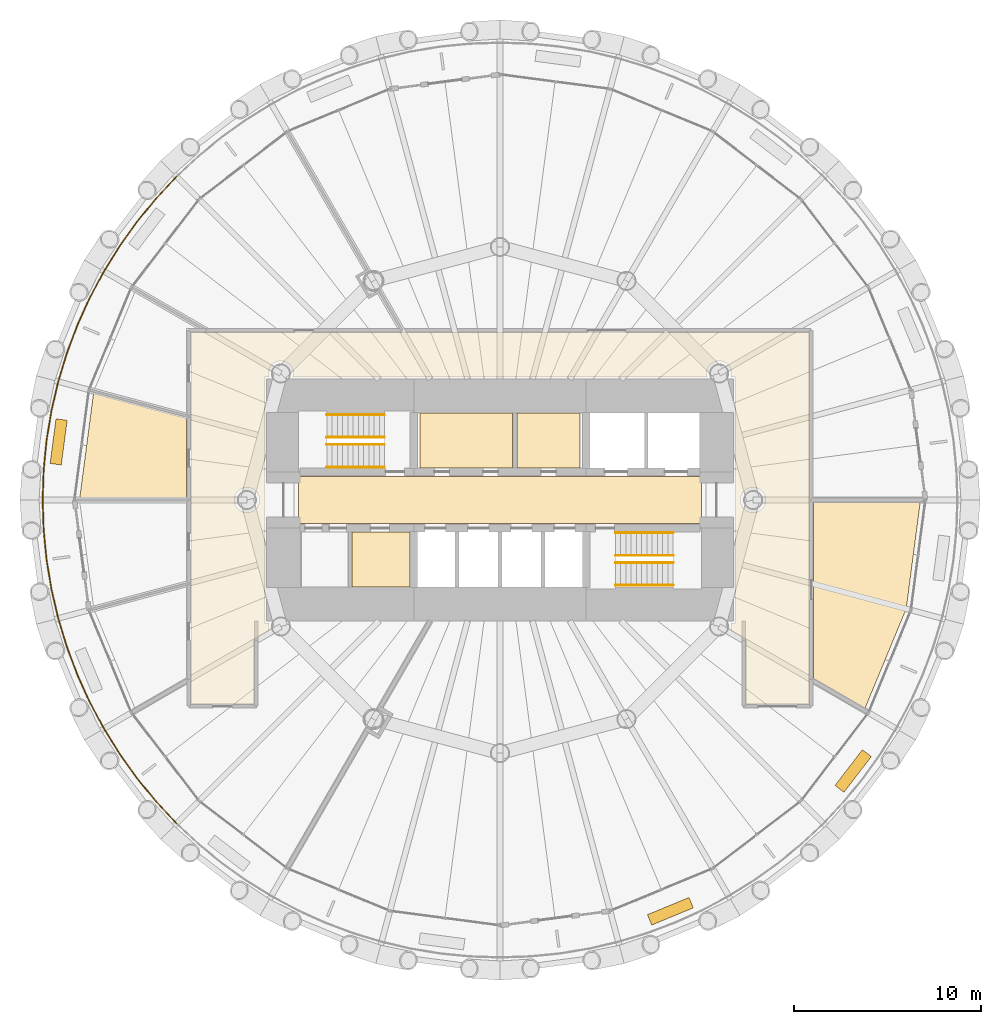
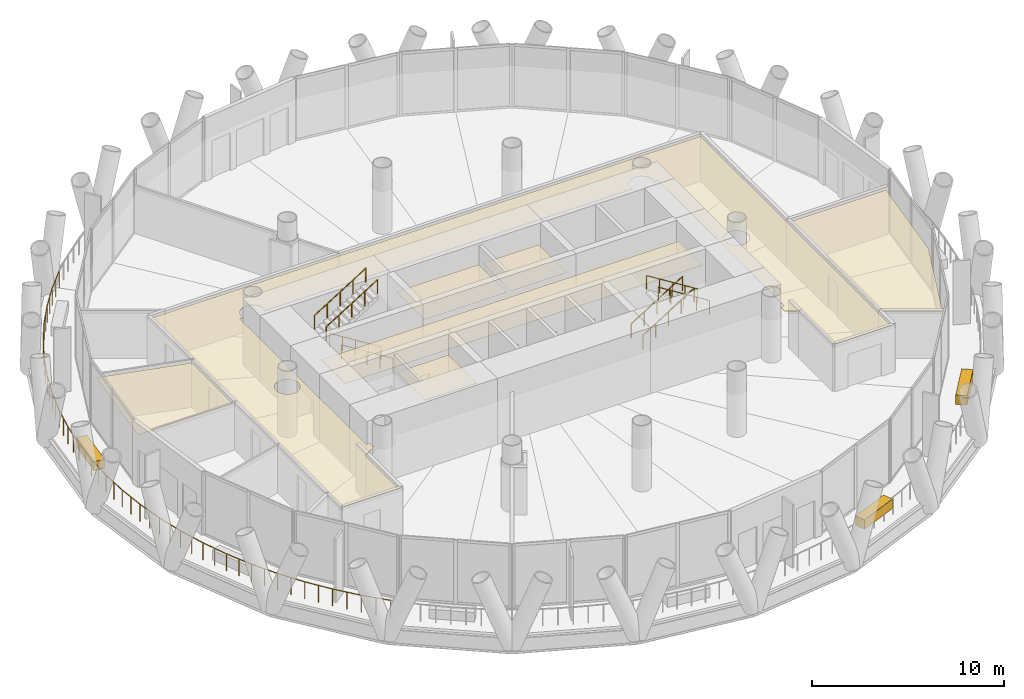
# One storey, part 12 of 14: 10 coverings, 9 railings.
"""IFC4 building model written with IfcOpenShell, lengths in metres."""

from ifc_helpers import new_model, si_unit, direction, frame, origin, origin_2d, place, context, subcontext, project, spatial, polyline, rectangle, circle, outline, extrude, material, layer, layer_set, type_object, element, save


model = new_model("IFC4")

# Units and contexts
model_context = context("Model", 3, precision=1e-05, world=origin(), true_north=direction((0.0, 1.0)))
body_context = subcontext(model_context, "Body", "Model", "MODEL_VIEW")
ifc_project = project(units=[si_unit("LENGTHUNIT", "METRE"), si_unit("AREAUNIT", "SQUARE_METRE"), si_unit("VOLUMEUNIT", "CUBIC_METRE"), si_unit("PLANEANGLEUNIT", "RADIAN"), si_unit("MASSUNIT", "GRAM", prefix="KILO")], contexts=[model_context])

# Site, building, storey
site_placement = place(None, origin())
site = spatial("IfcSite", under=ifc_project, at=site_placement, CompositionType="ELEMENT")
building_placement = place(site_placement, origin())
building = spatial("IfcBuilding", under=site, at=building_placement, Name="Qaws Media Tower", CompositionType="ELEMENT")
storey_placement = place(building_placement, frame((0.0, 0.0, 126.800048828125)))
storey = spatial("IfcBuildingStorey", under=building, at=storey_placement, Name="L28", CompositionType="ELEMENT", Elevation=126.800048828125)

# Railing
ifc_material_1 = material(Name="Stainless steel and glass guard", Category="steel")
railing_type_1 = type_object("IfcRailingType", Name="Balcony guard 1100", PredefinedType="GUARDRAIL", material=ifc_material_1)
railing_placement = place(storey_placement, frame((42.74658203125, 67.25341796875, 0.0)))
element("IfcRailing", 1, at=railing_placement, inside=storey, type_object=railing_type_1, Name="GR1 balcony guard L28-2", PredefinedType="GUARDRAIL", context=body_context, shape_type="SweptSolid", body=[
    extrude(circle(Radius=0.02392578125, at=origin_2d()), frame((0.0, 0.0, 1.076171875), z_axis=(-0.683640981839, -0.729818476027, 0.0), x_axis=(0.729818476027, -0.683640981839, 0.0)), (0.0, 0.0, 1.0), 1.5966796875),
    extrude(circle(Radius=0.02392578125, at=origin_2d()), frame((-1.091552734375, -1.165283203125, 1.076171875), z_axis=(-0.634361127386, -0.773036842629, 0.0), x_axis=(0.773036842629, -0.634361127386, 0.0)), (0.0, 0.0, 1.0), 1.5966796875),
    extrude(circle(Radius=0.02392578125, at=origin_2d()), frame((-2.1044921875, -2.399658203125, 1.076171875), z_axis=(-0.582438119358, -0.812875043976, 0.0), x_axis=(0.812875043976, -0.582438119358, 0.0)), (0.0, 0.0, 1.0), 1.5966796875),
    extrude(circle(Radius=0.02392578125, at=origin_2d()), frame((-3.034423828125, -3.697509765625, 1.076171875), z_axis=(-0.528101023183, -0.849181552622, 0.0), x_axis=(0.849181552622, -0.528101023183, 0.0)), (0.0, 0.0, 1.0), 1.5966796875),
    extrude(circle(Radius=0.02392578125, at=origin_2d()), frame((-3.877685546875, -5.053466796875, 1.076171875), z_axis=(-0.471389573817, -0.881925093019, 0.0), x_axis=(0.881925093019, -0.471389573817, 0.0)), (0.0, 0.0, 1.0), 1.5966796875),
    extrude(circle(Radius=0.02392578125, at=origin_2d()), frame((-4.63037109375, -6.461669921875, 1.076171875), z_axis=(-0.412696679624, -0.910868514456, 0.0), x_axis=(0.910868514456, -0.412696679624, 0.0)), (0.0, 0.0, 1.0), 1.5966796875),
    extrude(circle(Radius=0.02392578125, at=origin_2d()), frame((-5.289306640625, -7.916015625, 1.076171875), z_axis=(-0.352145406881, -0.935945304178, 0.0), x_axis=(0.935945304178, -0.352145406881, 0.0)), (0.0, 0.0, 1.0), 1.5966796875),
    extrude(circle(Radius=0.02392578125, at=origin_2d()), frame((-5.8515625, -9.410400390625, 1.076171875), z_axis=(-0.290376596051, -0.956912447649, 0.0), x_axis=(0.956912447649, -0.290376596051, 0.0)), (0.0, 0.0, 1.0), 1.5966796875),
    extrude(circle(Radius=0.02392578125, at=origin_2d()), frame((-6.315185546875, -10.938232421875, 1.076171875), z_axis=(-0.227070097211, -0.973878416925, 0.0), x_axis=(0.973878416925, -0.227070097211, 0.0)), (0.0, 0.0, 1.0), 1.5966796875),
    extrude(circle(Radius=0.02392578125, at=origin_2d()), frame((-6.677734375, -12.4931640625, 1.076171875), z_axis=(-0.162836738606, -0.986653027442, 0.0), x_axis=(0.986653027442, -0.162836738606, 0.0)), (0.0, 0.0, 1.0), 1.5966796875),
    extrude(circle(Radius=0.02392578125, at=origin_2d()), frame((-6.937744140625, -14.068603515625, 1.076171875), z_axis=(-0.098019858359, -0.995184458966, 0.0), x_axis=(0.995184458966, -0.098019858359, 0.0)), (0.0, 0.0, 1.0), 1.596435546875),
    extrude(circle(Radius=0.02392578125, at=origin_2d()), frame((-7.09423828125, -15.657470703125, 1.076171875), z_axis=(-0.032719201604, -0.999464583588, 0.0), x_axis=(0.999464583588, -0.032719201604, 0.0)), (0.0, 0.0, 1.0), 1.596923828125),
    extrude(circle(Radius=0.02392578125, at=origin_2d()), frame((-7.146484375, -17.25341796875, 1.076171875), z_axis=(0.032719201604, -0.999464583588, 0.0), x_axis=(0.999464583588, 0.032719201604, 0.0)), (0.0, 0.0, 1.0), 1.596923828125),
    extrude(circle(Radius=0.02392578125, at=origin_2d()), frame((-7.09423828125, -18.849365234375, 1.076171875), z_axis=(0.098019858359, -0.995184458966, 0.0), x_axis=(0.995184458966, 0.098019858359, 0.0)), (0.0, 0.0, 1.0), 1.596435546875),
    extrude(circle(Radius=0.02392578125, at=origin_2d()), frame((-6.937744140625, -20.438232421875, 1.076171875), z_axis=(0.162836738606, -0.986653027442, 0.0), x_axis=(0.986653027442, 0.162836738606, 0.0)), (0.0, 0.0, 1.0), 1.5966796875),
    extrude(circle(Radius=0.02392578125, at=origin_2d()), frame((-6.677734375, -22.013671875, 1.076171875), z_axis=(0.227070097211, -0.973878416925, 0.0), x_axis=(0.973878416925, 0.227070097211, 0.0)), (0.0, 0.0, 1.0), 1.5966796875),
    extrude(circle(Radius=0.02392578125, at=origin_2d()), frame((-6.315185546875, -23.568603515625, 1.076171875), z_axis=(0.290376596051, -0.956912447649, 0.0), x_axis=(0.956912447649, 0.290376596051, 0.0)), (0.0, 0.0, 1.0), 1.5966796875),
    extrude(circle(Radius=0.02392578125, at=origin_2d()), frame((-5.8515625, -25.096435546875, 1.076171875), z_axis=(0.352145406881, -0.935945304178, 0.0), x_axis=(0.935945304178, 0.352145406881, 0.0)), (0.0, 0.0, 1.0), 1.5966796875),
    extrude(circle(Radius=0.02392578125, at=origin_2d()), frame((-5.289306640625, -26.5908203125, 1.076171875), z_axis=(0.412696679624, -0.910868514456, 0.0), x_axis=(0.910868514456, 0.412696679624, 0.0)), (0.0, 0.0, 1.0), 1.5966796875),
    extrude(circle(Radius=0.02392578125, at=origin_2d()), frame((-4.63037109375, -28.045166015625, 1.076171875), z_axis=(0.471389573817, -0.881925093019, 0.0), x_axis=(0.881925093019, 0.471389573817, 0.0)), (0.0, 0.0, 1.0), 1.5966796875),
    extrude(circle(Radius=0.02392578125, at=origin_2d()), frame((-3.877685546875, -29.453369140625, 1.076171875), z_axis=(0.528101023183, -0.849181552622, 0.0), x_axis=(0.849181552622, 0.528101023183, 0.0)), (0.0, 0.0, 1.0), 1.5966796875),
    extrude(circle(Radius=0.02392578125, at=origin_2d()), frame((-3.034423828125, -30.809326171875, 1.076171875), z_axis=(0.582438119358, -0.812875043976, 0.0), x_axis=(0.812875043976, 0.582438119358, 0.0)), (0.0, 0.0, 1.0), 1.5966796875),
    extrude(circle(Radius=0.02392578125, at=origin_2d()), frame((-2.1044921875, -32.107177734375, 1.076171875), z_axis=(0.634361127386, -0.773036842629, 0.0), x_axis=(0.773036842629, 0.634361127386, 0.0)), (0.0, 0.0, 1.0), 1.5966796875),
    extrude(circle(Radius=0.02392578125, at=origin_2d()), frame((-1.091552734375, -33.341552734375, 1.076171875), z_axis=(0.683640981839, -0.729818476027, 0.0), x_axis=(0.729818476027, 0.683640981839, 0.0)), (0.0, 0.0, 1.0), 1.5966796875),
    extrude(circle(Radius=0.02099609375, at=origin_2d()), origin(), (0.0, 0.0, 1.0), 1.052001953125),
    extrude(circle(Radius=0.02099609375, at=origin_2d()), frame((-0.5458984375, -0.58251953125, 0.0)), (0.0, 0.0, 1.0), 1.052001953125),
    extrude(circle(Radius=0.02099609375, at=origin_2d()), frame((-1.091552734375, -1.165283203125, 0.0)), (0.0, 0.0, 1.0), 1.052001953125),
    extrude(circle(Radius=0.02099609375, at=origin_2d()), frame((-1.59814453125, -1.782470703125, 0.0)), (0.0, 0.0, 1.0), 1.052001953125),
    extrude(circle(Radius=0.02099609375, at=origin_2d()), frame((-2.1044921875, -2.399658203125, 0.0)), (0.0, 0.0, 1.0), 1.052001953125),
    extrude(circle(Radius=0.02099609375, at=origin_2d()), frame((-2.5693359375, -3.048583984375, 0.0)), (0.0, 0.0, 1.0), 1.052001953125),
    extrude(circle(Radius=0.02099609375, at=origin_2d()), frame((-3.034423828125, -3.697509765625, 0.0)), (0.0, 0.0, 1.0), 1.052001953125),
    extrude(circle(Radius=0.02099609375, at=origin_2d()), frame((-3.4560546875, -4.37548828125, 0.0)), (0.0, 0.0, 1.0), 1.052001953125),
    extrude(circle(Radius=0.02099609375, at=origin_2d()), frame((-3.877685546875, -5.053466796875, 0.0)), (0.0, 0.0, 1.0), 1.052001953125),
    extrude(circle(Radius=0.02099609375, at=origin_2d()), frame((-4.25390625, -5.757568359375, 0.0)), (0.0, 0.0, 1.0), 1.052001953125),
    extrude(circle(Radius=0.02099609375, at=origin_2d()), frame((-4.63037109375, -6.461669921875, 0.0)), (0.0, 0.0, 1.0), 1.052001953125),
    extrude(circle(Radius=0.02099609375, at=origin_2d()), frame((-4.9599609375, -7.18896484375, 0.0)), (0.0, 0.0, 1.0), 1.052001953125),
    extrude(circle(Radius=0.02099609375, at=origin_2d()), frame((-5.289306640625, -7.916015625, 0.0)), (0.0, 0.0, 1.0), 1.052001953125),
    extrude(circle(Radius=0.02099609375, at=origin_2d()), frame((-5.5703125, -8.6630859375, 0.0)), (0.0, 0.0, 1.0), 1.052001953125),
    extrude(circle(Radius=0.02099609375, at=origin_2d()), frame((-5.8515625, -9.410400390625, 0.0)), (0.0, 0.0, 1.0), 1.052001953125),
    extrude(circle(Radius=0.02099609375, at=origin_2d()), frame((-6.08349609375, -10.17431640625, 0.0)), (0.0, 0.0, 1.0), 1.052001953125),
    extrude(circle(Radius=0.02099609375, at=origin_2d()), frame((-6.315185546875, -10.938232421875, 0.0)), (0.0, 0.0, 1.0), 1.052001953125),
    extrude(circle(Radius=0.02099609375, at=origin_2d()), frame((-6.49658203125, -11.7158203125, 0.0)), (0.0, 0.0, 1.0), 1.052001953125),
    extrude(circle(Radius=0.02099609375, at=origin_2d()), frame((-6.677734375, -12.4931640625, 0.0)), (0.0, 0.0, 1.0), 1.052001953125),
    extrude(circle(Radius=0.02099609375, at=origin_2d()), frame((-6.8076171875, -13.28076171875, 0.0)), (0.0, 0.0, 1.0), 1.052001953125),
    extrude(circle(Radius=0.02099609375, at=origin_2d()), frame((-6.937744140625, -14.068603515625, 0.0)), (0.0, 0.0, 1.0), 1.052001953125),
    extrude(circle(Radius=0.02099609375, at=origin_2d()), frame((-7.01611328125, -14.863037109375, 0.0)), (0.0, 0.0, 1.0), 1.052001953125),
    extrude(circle(Radius=0.02099609375, at=origin_2d()), frame((-7.09423828125, -15.657470703125, 0.0)), (0.0, 0.0, 1.0), 1.052001953125),
    extrude(circle(Radius=0.02099609375, at=origin_2d()), frame((-7.120361328125, -16.45556640625, 0.0)), (0.0, 0.0, 1.0), 1.052001953125),
    extrude(circle(Radius=0.02099609375, at=origin_2d()), frame((-7.146484375, -17.25341796875, 0.0)), (0.0, 0.0, 1.0), 1.052001953125),
    extrude(circle(Radius=0.02099609375, at=origin_2d()), frame((-7.120361328125, -18.05126953125, 0.0)), (0.0, 0.0, 1.0), 1.052001953125),
    extrude(circle(Radius=0.02099609375, at=origin_2d()), frame((-7.09423828125, -18.849365234375, 0.0)), (0.0, 0.0, 1.0), 1.052001953125),
    extrude(circle(Radius=0.02099609375, at=origin_2d()), frame((-7.01611328125, -19.643798828125, 0.0)), (0.0, 0.0, 1.0), 1.052001953125),
    extrude(circle(Radius=0.02099609375, at=origin_2d()), frame((-6.937744140625, -20.438232421875, 0.0)), (0.0, 0.0, 1.0), 1.052001953125),
    extrude(circle(Radius=0.02099609375, at=origin_2d()), frame((-6.8076171875, -21.22607421875, 0.0)), (0.0, 0.0, 1.0), 1.052001953125),
    extrude(circle(Radius=0.02099609375, at=origin_2d()), frame((-6.677734375, -22.013671875, 0.0)), (0.0, 0.0, 1.0), 1.052001953125),
    extrude(circle(Radius=0.02099609375, at=origin_2d()), frame((-6.49658203125, -22.791015625, 0.0)), (0.0, 0.0, 1.0), 1.052001953125),
    extrude(circle(Radius=0.02099609375, at=origin_2d()), frame((-6.315185546875, -23.568603515625, 0.0)), (0.0, 0.0, 1.0), 1.052001953125),
    extrude(circle(Radius=0.02099609375, at=origin_2d()), frame((-6.08349609375, -24.33251953125, 0.0)), (0.0, 0.0, 1.0), 1.052001953125),
    extrude(circle(Radius=0.02099609375, at=origin_2d()), frame((-5.8515625, -25.096435546875, 0.0)), (0.0, 0.0, 1.0), 1.052001953125),
    extrude(circle(Radius=0.02099609375, at=origin_2d()), frame((-5.5703125, -25.84375, 0.0)), (0.0, 0.0, 1.0), 1.052001953125),
    extrude(circle(Radius=0.02099609375, at=origin_2d()), frame((-5.289306640625, -26.5908203125, 0.0)), (0.0, 0.0, 1.0), 1.052001953125),
    extrude(circle(Radius=0.02099609375, at=origin_2d()), frame((-4.9599609375, -27.31787109375, 0.0)), (0.0, 0.0, 1.0), 1.052001953125),
    extrude(circle(Radius=0.02099609375, at=origin_2d()), frame((-4.63037109375, -28.045166015625, 0.0)), (0.0, 0.0, 1.0), 1.052001953125),
    extrude(circle(Radius=0.02099609375, at=origin_2d()), frame((-4.25390625, -28.749267578125, 0.0)), (0.0, 0.0, 1.0), 1.052001953125),
    extrude(circle(Radius=0.02099609375, at=origin_2d()), frame((-3.877685546875, -29.453369140625, 0.0)), (0.0, 0.0, 1.0), 1.052001953125),
    extrude(circle(Radius=0.02099609375, at=origin_2d()), frame((-3.4560546875, -30.13134765625, 0.0)), (0.0, 0.0, 1.0), 1.052001953125),
    extrude(circle(Radius=0.02099609375, at=origin_2d()), frame((-3.034423828125, -30.809326171875, 0.0)), (0.0, 0.0, 1.0), 1.052001953125),
    extrude(circle(Radius=0.02099609375, at=origin_2d()), frame((-2.5693359375, -31.458251953125, 0.0)), (0.0, 0.0, 1.0), 1.052001953125),
    extrude(circle(Radius=0.02099609375, at=origin_2d()), frame((-2.1044921875, -32.107177734375, 0.0)), (0.0, 0.0, 1.0), 1.052001953125),
    extrude(circle(Radius=0.02099609375, at=origin_2d()), frame((-1.59814453125, -32.724365234375, 0.0)), (0.0, 0.0, 1.0), 1.052001953125),
    extrude(circle(Radius=0.02099609375, at=origin_2d()), frame((-1.091552734375, -33.341552734375, 0.0)), (0.0, 0.0, 1.0), 1.052001953125),
    extrude(circle(Radius=0.02099609375, at=origin_2d()), frame((-0.5458984375, -33.92431640625, 0.0)), (0.0, 0.0, 1.0), 1.052001953125),
    extrude(circle(Radius=0.02099609375, at=origin_2d()), frame((0.0, -34.5068359375, 0.0)), (0.0, 0.0, 1.0), 1.052001953125),
])

# Coverings
ifc_material_2 = material(Name="600 x 600 mineral fibre tiles in exposed grid, suspended", Category="mineral fibre")
ifc_layer_1 = layer(ifc_material_2, 0.02001953125)
ifc_layer_set_1 = layer_set([ifc_layer_1], Name="Mineral fibre tile ceiling 20")
covering_type_1 = type_object("IfcCoveringType", Name="Mineral fibre tile ceiling 20", PredefinedType="CEILING", material=ifc_layer_set_1)
covering_1_placement = place(storey_placement, frame((0.0, 0.0, 2.849853515625)))
element("IfcCovering", 2, at=covering_1_placement, inside=storey, type_object=covering_type_1, Name="CL1 ceiling L28-C07 Gents toilets", PredefinedType="CEILING", context=body_context, shape_type="SweptSolid", body=[
    extrude(outline(polyline([(55.719970703125, 51.719970703125), (55.719970703125, 54.6298828125), (60.679931640625, 54.6298828125), (60.679931640625, 51.719970703125), (55.719970703125, 51.719970703125)])), origin(), (0.0, 0.0, 1.0), 0.02001953125),
])
covering_2_placement = place(storey_placement, frame((0.0, 0.0, 2.849853515625)))
element("IfcCovering", 3, at=covering_2_placement, inside=storey, type_object=covering_type_1, Name="CL1 ceiling L28-C08 Ladies toilets", PredefinedType="CEILING", context=body_context, shape_type="SweptSolid", body=[
    extrude(outline(polyline([(60.919921875, 51.719970703125), (60.919921875, 54.6298828125), (64.280029296875, 54.6298828125), (64.280029296875, 51.719970703125), (60.919921875, 51.719970703125)])), origin(), (0.0, 0.0, 1.0), 0.02001953125),
])
covering_3_placement = place(storey_placement, frame((0.0, 0.0, 2.849853515625)))
element("IfcCovering", 4, at=covering_3_placement, inside=storey, type_object=covering_type_1, Name="CL1 ceiling L28-01 Corridor", PredefinedType="CEILING", context=body_context, shape_type="SweptSolid", body=[
    extrude(outline(polyline([(43.512451171875, 39.112548828125), (43.512451171875, 58.9375), (76.487548828125, 58.9375), (76.487548828125, 39.112548828125), (73.112548828125, 39.112548828125), (73.112548828125, 42.559326171875), (72.31689453125, 43.018798828125), (72.336669921875, 43.0771484375), (72.353515625, 43.162841796875), (72.359375, 43.25), (72.353515625, 43.337158203125), (72.336669921875, 43.4228515625), (72.33154296875, 43.4375), (72.5625, 43.4375), (72.5625, 56.5625), (72.33154296875, 56.5625), (72.336669921875, 56.5771484375), (72.353515625, 56.662841796875), (72.359375, 56.75), (72.353515625, 56.837158203125), (72.336669921875, 56.9228515625), (72.30859375, 57.005615234375), (72.269775390625, 57.083984375), (72.22119140625, 57.15673828125), (72.163818359375, 57.222412109375), (72.097900390625, 57.280029296875), (72.025390625, 57.32861328125), (71.947021484375, 57.3671875), (71.8642578125, 57.395263671875), (71.778564453125, 57.412353515625), (71.69140625, 57.41796875), (71.604248046875, 57.412353515625), (71.5185546875, 57.395263671875), (71.435791015625, 57.3671875), (71.357421875, 57.32861328125), (71.28466796875, 57.280029296875), (71.218994140625, 57.222412109375), (71.161376953125, 57.15673828125), (71.11279296875, 57.083984375), (71.07421875, 57.005615234375), (71.046142578125, 56.9228515625), (71.029052734375, 56.837158203125), (71.023193359375, 56.75), (71.029052734375, 56.662841796875), (71.046142578125, 56.5771484375), (71.051025390625, 56.5625), (48.948974609375, 56.5625), (48.953857421875, 56.5771484375), (48.970947265625, 56.662841796875), (48.976806640625, 56.75), (48.970947265625, 56.837158203125), (48.953857421875, 56.9228515625), (48.92578125, 57.005615234375), (48.88720703125, 57.083984375), (48.838623046875, 57.15673828125), (48.781005859375, 57.222412109375), (48.71533203125, 57.280029296875), (48.642578125, 57.32861328125), (48.564208984375, 57.3671875), (48.4814453125, 57.395263671875), (48.395751953125, 57.412353515625), (48.30859375, 57.41796875), (48.221435546875, 57.412353515625), (48.1357421875, 57.395263671875), (48.052978515625, 57.3671875), (47.974609375, 57.32861328125), (47.902099609375, 57.280029296875), (47.836181640625, 57.222412109375), (47.77880859375, 57.15673828125), (47.730224609375, 57.083984375), (47.69140625, 57.005615234375), (47.663330078125, 56.9228515625), (47.646484375, 56.837158203125), (47.640625, 56.75), (47.646484375, 56.662841796875), (47.663330078125, 56.5771484375), (47.66845703125, 56.5625), (47.4375, 56.5625), (47.4375, 43.4375), (47.66845703125, 43.4375), (47.663330078125, 43.4228515625), (47.646484375, 43.337158203125), (47.640625, 43.25), (47.646484375, 43.162841796875), (47.663330078125, 43.0771484375), (47.68310546875, 43.018798828125), (46.887451171875, 42.559326171875), (46.887451171875, 39.112548828125), (43.512451171875, 39.112548828125)]), holes=[polyline([(47.1171875, 49.744384765625), (47.145263671875, 49.8271484375), (47.162353515625, 49.912841796875), (47.16796875, 50.0), (47.162353515625, 50.087158203125), (47.145263671875, 50.1728515625), (47.1171875, 50.255615234375), (47.07861328125, 50.333984375), (47.030029296875, 50.40673828125), (46.972412109375, 50.472412109375), (46.90673828125, 50.530029296875), (46.833984375, 50.57861328125), (46.755615234375, 50.6171875), (46.6728515625, 50.645263671875), (46.587158203125, 50.662353515625), (46.5, 50.66796875), (46.412841796875, 50.662353515625), (46.3271484375, 50.645263671875), (46.244384765625, 50.6171875), (46.166015625, 50.57861328125), (46.09326171875, 50.530029296875), (46.027587890625, 50.472412109375), (45.969970703125, 50.40673828125), (45.92138671875, 50.333984375), (45.8828125, 50.255615234375), (45.854736328125, 50.1728515625), (45.837646484375, 50.087158203125), (45.83203125, 50.0), (45.837646484375, 49.912841796875), (45.854736328125, 49.8271484375), (45.8828125, 49.744384765625), (45.92138671875, 49.666015625), (45.969970703125, 49.59326171875), (46.027587890625, 49.527587890625), (46.09326171875, 49.469970703125), (46.166015625, 49.42138671875), (46.244384765625, 49.3828125), (46.3271484375, 49.354736328125), (46.412841796875, 49.337646484375), (46.5, 49.33203125), (46.587158203125, 49.337646484375), (46.6728515625, 49.354736328125), (46.755615234375, 49.3828125), (46.833984375, 49.42138671875), (46.90673828125, 49.469970703125), (46.972412109375, 49.527587890625), (47.030029296875, 49.59326171875), (47.07861328125, 49.666015625), (47.1171875, 49.744384765625)]), polyline([(74.145263671875, 49.8271484375), (74.162353515625, 49.912841796875), (74.16796875, 50.0), (74.162353515625, 50.087158203125), (74.145263671875, 50.1728515625), (74.1171875, 50.255615234375), (74.07861328125, 50.333984375), (74.030029296875, 50.40673828125), (73.972412109375, 50.472412109375), (73.90673828125, 50.530029296875), (73.833984375, 50.57861328125), (73.755615234375, 50.6171875), (73.6728515625, 50.645263671875), (73.587158203125, 50.662353515625), (73.5, 50.66796875), (73.412841796875, 50.662353515625), (73.3271484375, 50.645263671875), (73.244384765625, 50.6171875), (73.166015625, 50.57861328125), (73.09326171875, 50.530029296875), (73.027587890625, 50.472412109375), (72.969970703125, 50.40673828125), (72.92138671875, 50.333984375), (72.8828125, 50.255615234375), (72.854736328125, 50.1728515625), (72.837646484375, 50.087158203125), (72.83203125, 50.0), (72.837646484375, 49.912841796875), (72.854736328125, 49.8271484375), (72.8828125, 49.744384765625), (72.92138671875, 49.666015625), (72.969970703125, 49.59326171875), (73.027587890625, 49.527587890625), (73.09326171875, 49.469970703125), (73.166015625, 49.42138671875), (73.244384765625, 49.3828125), (73.3271484375, 49.354736328125), (73.412841796875, 49.337646484375), (73.5, 49.33203125), (73.587158203125, 49.337646484375), (73.6728515625, 49.354736328125), (73.755615234375, 49.3828125), (73.833984375, 49.42138671875), (73.90673828125, 49.469970703125), (73.972412109375, 49.527587890625), (74.030029296875, 49.59326171875), (74.07861328125, 49.666015625), (74.1171875, 49.744384765625), (74.145263671875, 49.8271484375)])]), origin(), (0.0, 0.0, 1.0), 0.02001953125),
])
covering_4_placement = place(storey_placement, frame((0.0, 0.0, 2.849853515625)))
element("IfcCovering", 5, at=covering_4_placement, inside=storey, type_object=covering_type_1, Name="CL1 ceiling L28-05 Office", PredefinedType="CEILING", context=body_context, shape_type="SweptSolid", body=[
    extrude(outline(polyline([(38.314453125, 55.694091796875), (43.28759765625, 54.361572265625), (43.28759765625, 50.112548828125), (37.57958984375, 50.112548828125), (38.314453125, 55.694091796875)])), origin(), (0.0, 0.0, 1.0), 0.02001953125),
])
covering_5_placement = place(storey_placement, frame((0.0, 0.0, 2.849853515625)))
element("IfcCovering", 6, at=covering_5_placement, inside=storey, type_object=covering_type_1, Name="CL1 ceiling L28-10 Finance office", PredefinedType="CEILING", context=body_context, shape_type="SweptSolid", body=[
    extrude(outline(polyline([(81.6708984375, 44.193359375), (79.472900390625, 38.88720703125), (76.71240234375, 40.48095703125), (76.71240234375, 49.887451171875), (82.42041015625, 49.887451171875), (81.6708984375, 44.193359375)])), origin(), (0.0, 0.0, 1.0), 0.02001953125),
])
ifc_material_3 = material(Name="Precast concrete planter with trailing planting", Category="concrete")
ifc_layer_2 = layer(ifc_material_3, 0.60009765625)
ifc_layer_set_2 = layer_set([ifc_layer_2], Name="Planter 2400x600")
covering_type_2 = type_object("IfcCoveringType", Name="Planter 2400x600", PredefinedType="USERDEFINED", material=ifc_layer_set_2)
for number, where, z_axis, x_axis, name in (
    (7, (36.453125, 53.10009765625, 0.0), (0.0, 0.0, 1.0), (-0.13052619222, -0.991444861374, 0.0), "PL1 balcony planter L28-06"),
    (8, (69.088623046875, 28.057861328125, 0.0), (0.0, 0.0, 1.0), (0.923879532511, 0.382683432365, 0.0), "PL1 balcony planter L28-10"),
    (9, (78.842041015625, 35.5419921875, 0.0), (0.0, 0.0, 1.0), (0.608761429009, 0.793353340291, 0.0), "PL1 balcony planter L28-11"),
):
    element("IfcCovering", number, at=place(storey_placement, frame(where, z_axis=z_axis, x_axis=x_axis)), inside=storey, type_object=covering_type_2, Name=name, ObjectType="PLANTER", PredefinedType="USERDEFINED", context=body_context, shape_type="SweptSolid", body=[
        extrude(rectangle(XDim=2.39990234375, YDim=0.60009765625, at=origin_2d()), origin(), (0.0, 0.0, 1.0), 0.60009765625),
    ])
ifc_material_4 = material(Name="Two layers 12.5 moisture-resistant plasterboard on suspended metal furring", Category="gypsum")
ifc_layer_3 = layer(ifc_material_4, 0.02490234375)
ifc_layer_set_3 = layer_set([ifc_layer_3], Name="Plasterboard ceiling 25")
covering_type_3 = type_object("IfcCoveringType", Name="Plasterboard ceiling 25", PredefinedType="CEILING", material=ifc_layer_set_3)
covering_6_placement = place(storey_placement, frame((0.0, 0.0, 2.849853515625)))
element("IfcCovering", 10, at=covering_6_placement, inside=storey, type_object=covering_type_3, Name="CL2 ceiling L28-C01 Lift lobby", PredefinedType="CEILING", context=body_context, shape_type="SweptSolid", body=[
    extrude(outline(polyline([(49.25, 48.75), (49.25, 51.25), (70.75, 51.25), (70.75, 48.75), (49.25, 48.75)])), origin(), (0.0, 0.0, 1.0), 0.025146484375),
])
covering_7_placement = place(storey_placement, frame((0.0, 0.0, 2.849853515625)))
element("IfcCovering", 11, at=covering_7_placement, inside=storey, type_object=covering_type_3, Name="CL2 ceiling L28-C05 Accessible WC", PredefinedType="CEILING", context=body_context, shape_type="SweptSolid", body=[
    extrude(outline(polyline([(52.10009765625, 45.35009765625), (52.10009765625, 48.300048828125), (55.199951171875, 48.300048828125), (55.199951171875, 45.35009765625), (52.10009765625, 45.35009765625)])), origin(), (0.0, 0.0, 1.0), 0.025146484375),
])

# Railings
ifc_material_5 = material(Name="Steel tube handrail", Category="steel")
railing_type_2 = type_object("IfcRailingType", Name="Stair handrail 900", PredefinedType="HANDRAIL", material=ifc_material_5)
for number, where, name in (
    (12, (53.840087890625, 51.75, 0.175048828125), "HR1 handrail S1 flight 1 L28"),
    (13, (53.840087890625, 52.9599609375, 0.175048828125), "HR1 handrail S1 flight 1 L28"),
):
    element("IfcRailing", number, at=place(storey_placement, frame(where)), inside=storey, type_object=railing_type_2, Name=name, PredefinedType="HANDRAIL", context=body_context, shape_type="SweptSolid", body=[
        extrude(circle(Radius=0.02392578125, at=origin_2d()), frame((0.0, 0.0, 0.8759765625), z_axis=(-0.848028513186, 0.0, 0.529950602248), x_axis=(0.0, -1.0, 0.0)), (0.0, 0.0, 1.0), 3.632080078125),
        extrude(circle(Radius=0.02099609375, at=origin_2d()), origin(), (0.0, 0.0, 1.0), 0.851806640625),
        extrude(circle(Radius=0.02099609375, at=origin_2d()), frame((-0.77001953125, 0.0, 0.481201171875)), (0.0, 0.0, 1.0), 0.851806640625),
        extrude(circle(Radius=0.02099609375, at=origin_2d()), frame((-1.5400390625, 0.0, 0.96240234375)), (0.0, 0.0, 1.0), 0.851806640625),
        extrude(circle(Radius=0.02099609375, at=origin_2d()), frame((-2.31005859375, 0.0, 1.443603515625)), (0.0, 0.0, 1.0), 0.851806640625),
        extrude(circle(Radius=0.02099609375, at=origin_2d()), frame((-3.080078125, 0.0, 1.9248046875)), (0.0, 0.0, 1.0), 0.851806640625),
    ])
for number, where, name in (
    (14, (50.760009765625, 54.550048828125, 2.27490234375), "HR1 handrail S1 flight 2 L28"),
    (15, (50.760009765625, 53.340087890625, 2.27490234375), "HR1 handrail S1 flight 2 L28"),
):
    element("IfcRailing", number, at=place(storey_placement, frame(where)), inside=storey, type_object=railing_type_2, Name=name, PredefinedType="HANDRAIL", context=body_context, shape_type="SweptSolid", body=[
        extrude(circle(Radius=0.02392578125, at=origin_2d()), frame((0.0, 0.0, 0.8759765625), z_axis=(0.847998304005, 0.0, 0.529998940003), x_axis=(0.0, 1.0, 0.0)), (0.0, 0.0, 1.0), 3.632080078125),
        extrude(circle(Radius=0.02099609375, at=origin_2d()), origin(), (0.0, 0.0, 1.0), 0.851806640625),
        extrude(circle(Radius=0.02099609375, at=origin_2d()), frame((0.77001953125, 0.0, 0.481201171875)), (0.0, 0.0, 1.0), 0.851806640625),
        extrude(circle(Radius=0.02099609375, at=origin_2d()), frame((1.5400390625, 0.0, 0.96240234375)), (0.0, 0.0, 1.0), 0.851806640625),
        extrude(circle(Radius=0.02099609375, at=origin_2d()), frame((2.31005859375, 0.0, 1.44384765625)), (0.0, 0.0, 1.0), 0.851806640625),
        extrude(circle(Radius=0.02099609375, at=origin_2d()), frame((3.080078125, 0.0, 1.925048828125)), (0.0, 0.0, 1.0), 0.851806640625),
    ])
for number, where, name in (
    (16, (66.159912109375, 48.25, 0.175048828125), "HR1 handrail S2 flight 1 L28"),
    (17, (66.159912109375, 47.0400390625, 0.175048828125), "HR1 handrail S2 flight 1 L28"),
):
    element("IfcRailing", number, at=place(storey_placement, frame(where)), inside=storey, type_object=railing_type_2, Name=name, PredefinedType="HANDRAIL", context=body_context, shape_type="SweptSolid", body=[
        extrude(circle(Radius=0.02392578125, at=origin_2d()), frame((0.0, 0.0, 0.8759765625), z_axis=(0.848028513186, 0.0, 0.529950602248), x_axis=(0.0, 1.0, 0.0)), (0.0, 0.0, 1.0), 3.632080078125),
        extrude(circle(Radius=0.02099609375, at=origin_2d()), origin(), (0.0, 0.0, 1.0), 0.851806640625),
        extrude(circle(Radius=0.02099609375, at=origin_2d()), frame((0.77001953125, 0.0, 0.481201171875)), (0.0, 0.0, 1.0), 0.851806640625),
        extrude(circle(Radius=0.02099609375, at=origin_2d()), frame((1.5400390625, 0.0, 0.96240234375)), (0.0, 0.0, 1.0), 0.851806640625),
        extrude(circle(Radius=0.02099609375, at=origin_2d()), frame((2.31005859375, 0.0, 1.443603515625)), (0.0, 0.0, 1.0), 0.851806640625),
        extrude(circle(Radius=0.02099609375, at=origin_2d()), frame((3.080078125, 0.0, 1.9248046875)), (0.0, 0.0, 1.0), 0.851806640625),
    ])
for number, where, name in (
    (18, (69.239990234375, 45.449951171875, 2.27490234375), "HR1 handrail S2 flight 2 L28"),
    (19, (69.239990234375, 46.659912109375, 2.27490234375), "HR1 handrail S2 flight 2 L28"),
):
    element("IfcRailing", number, at=place(storey_placement, frame(where)), inside=storey, type_object=railing_type_2, Name=name, PredefinedType="HANDRAIL", context=body_context, shape_type="SweptSolid", body=[
        extrude(circle(Radius=0.02392578125, at=origin_2d()), frame((0.0, 0.0, 0.8759765625), z_axis=(-0.847998304005, 0.0, 0.529998940003), x_axis=(0.0, -1.0, 0.0)), (0.0, 0.0, 1.0), 3.632080078125),
        extrude(circle(Radius=0.02099609375, at=origin_2d()), origin(), (0.0, 0.0, 1.0), 0.851806640625),
        extrude(circle(Radius=0.02099609375, at=origin_2d()), frame((-0.77001953125, 0.0, 0.481201171875)), (0.0, 0.0, 1.0), 0.851806640625),
        extrude(circle(Radius=0.02099609375, at=origin_2d()), frame((-1.5400390625, 0.0, 0.96240234375)), (0.0, 0.0, 1.0), 0.851806640625),
        extrude(circle(Radius=0.02099609375, at=origin_2d()), frame((-2.31005859375, 0.0, 1.44384765625)), (0.0, 0.0, 1.0), 0.851806640625),
        extrude(circle(Radius=0.02099609375, at=origin_2d()), frame((-3.080078125, 0.0, 1.925048828125)), (0.0, 0.0, 1.0), 0.851806640625),
    ])

save(model, "model.ifc")
